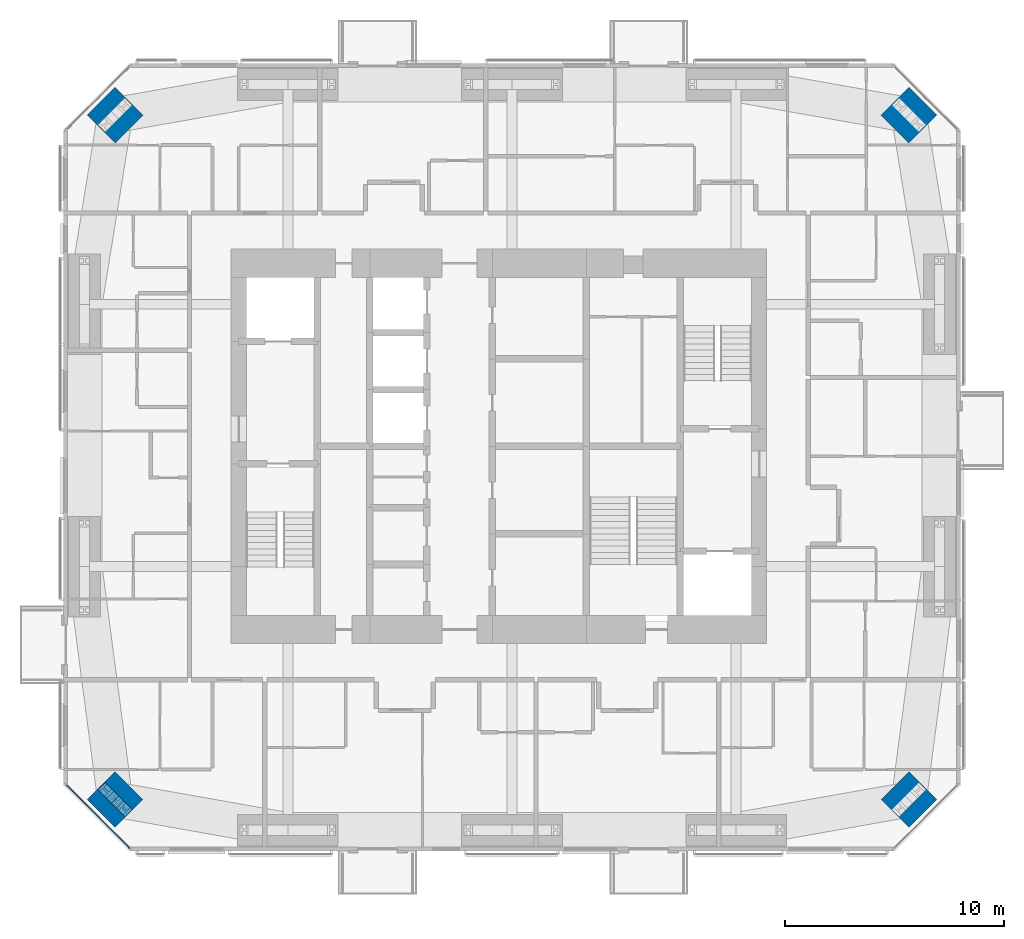
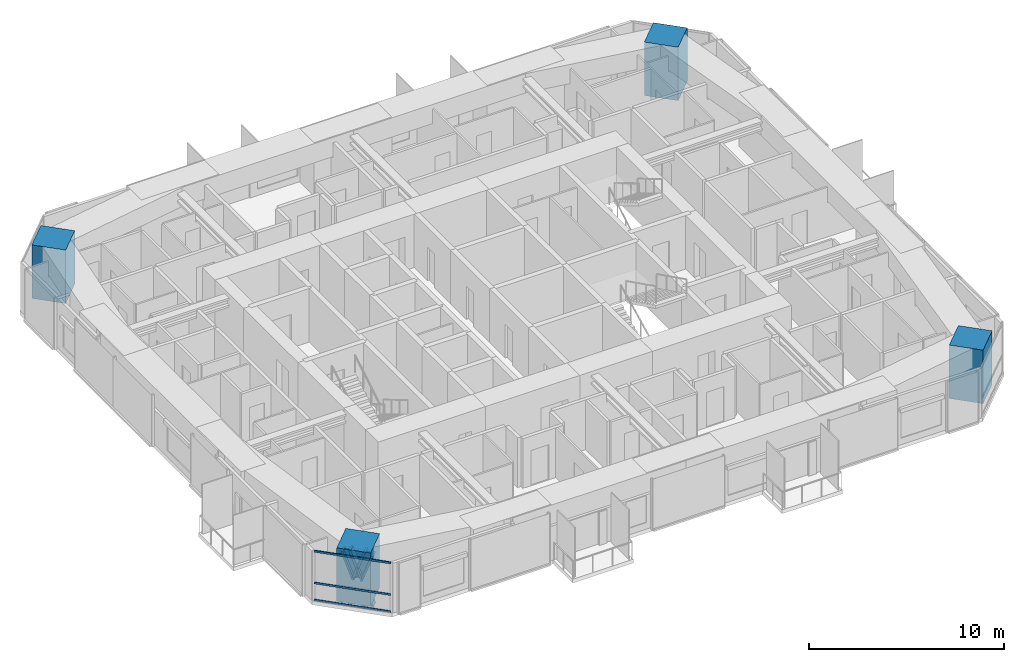
# One storey, part 1 of 23: 7 members, 4 columns, 1 element without a shape of its own.
"""IFC4 building model written with IfcOpenShell, lengths in metres."""

from ifc_helpers import new_model, si_unit, direction, frame, origin, origin_2d, place, context, subcontext, project, spatial, rectangle, i_section, extrude, material, material_profile, profile_set, type_object, element, aggregate, save


model = new_model("IFC4")

# Units and contexts
model_context = context("Model", 3, precision=1e-05, world=origin(), true_north=direction((0.0, 1.0)))
body_context = subcontext(model_context, "Body", "Model", "MODEL_VIEW")
ifc_project = project(units=[si_unit("LENGTHUNIT", "METRE"), si_unit("AREAUNIT", "SQUARE_METRE"), si_unit("VOLUMEUNIT", "CUBIC_METRE"), si_unit("PLANEANGLEUNIT", "RADIAN"), si_unit("MASSUNIT", "GRAM", prefix="KILO")], contexts=[model_context])

# Site, building, storey
site_placement = place(None, origin())
site = spatial("IfcSite", under=ifc_project, at=site_placement, CompositionType="ELEMENT")
building_placement = place(site_placement, origin())
building = spatial("IfcBuilding", under=site, at=building_placement, Name="Jalousie Tower", CompositionType="ELEMENT")
storey_placement = place(building_placement, frame((0.0, 0.0, 167.75)))
storey = spatial("IfcBuildingStorey", under=building, at=storey_placement, Name="L45", CompositionType="ELEMENT", Elevation=167.75)

# Columns
ifc_material_1 = material(Name="Concrete f'c 120 MPa", Category="concrete")
ifc_material_profile_1 = material_profile(ifc_material_1, rectangle(XDim=1.800048828125, YDim=1.800048828125, at=origin_2d()), Name="RC 1800x1800")
ifc_profile_set_1 = profile_set([ifc_material_profile_1], Name="Concrete f'c 120 MPa")
column_type = type_object("IfcColumnType", Name="RC COLUMN 1800x1800", PredefinedType="COLUMN", material=ifc_profile_set_1)
for number, where, z_axis, x_axis, name in (
    (1, (14.348388671875, 2.348388671875, 0.0), (0.0, 0.0, 1.0), (0.707106781187, 0.707106781187, 0.0), "Column 01 L45"),
    (2, (50.651611328125, 2.348388671875, 0.0), (0.0, 0.0, 1.0), (0.707106781187, 0.707106781187, 0.0), "Column 05 L45"),
    (3, (50.651611328125, 33.651611328125, 0.0), (0.0, 0.0, 1.0), (0.707106781187, 0.707106781187, 0.0), "Column 08 L45"),
    (4, (14.348388671875, 33.651611328125, 0.0), (0.0, 0.0, 1.0), (0.707106781187, 0.707106781187, 0.0), "Column 12 L45"),
):
    element("IfcColumn", number, at=place(storey_placement, frame(where, z_axis=z_axis, x_axis=x_axis)), inside=storey, type_object=column_type, Name=name, PredefinedType="COLUMN", context=body_context, shape_type="SweptSolid", body=[
        extrude(rectangle(XDim=1.800048828125, YDim=1.800048828125, at=origin_2d()), origin(), (0.0, 0.0, 1.0), 3.35009765625),
    ])

# Curtain wall, members
ifc_material_2 = material(Name="Aluminium curtain wall", Category="aluminium")
curtain_wall_type = type_object("IfcCurtainWallType", Name="CORNER WINDOW WALL", PredefinedType="USERDEFINED", material=ifc_material_2)
curtain_wall_placement = place(storey_placement, origin())
curtain_wall = element("IfcCurtainWall", 5, at=curtain_wall_placement, inside=storey, type_object=curtain_wall_type, Name="Corner Window Wall L45 8", ObjectType="CORNER WINDOW WALL", PredefinedType="USERDEFINED")
ifc_material_3 = material(Name="Aluminium transom", Category="aluminium")
ifc_material_profile_2 = material_profile(ifc_material_3, rectangle(XDim=0.06005859375, YDim=0.1201171875, at=origin_2d()), Name="TRANSOM 60x120")
ifc_profile_set_2 = profile_set([ifc_material_profile_2], Name="Aluminium transom")
member_type_1 = type_object("IfcMemberType", Name="CORNER WINDOW WALL TRANSOM", PredefinedType="USERDEFINED", material=ifc_profile_set_2)
member_1_placement = place(storey_placement, frame((12.1298828125, 3.0087890625, 0.030029296875), z_axis=(0.707106781187, -0.707106781187, 0.0), x_axis=(0.707106781187, 0.707106781187, 0.0)))
member_1 = element("IfcMember", 6, at=member_1_placement, type_object=member_type_1, Name="CW-C transom 1.1", ObjectType="TRANSOM", PredefinedType="USERDEFINED", context=body_context, shape_type="SweptSolid", body=[
    extrude(rectangle(XDim=0.06005859375, YDim=0.1201171875, at=origin_2d()), origin(), (0.0, 0.0, 1.0), 4.0712890625),
])
member_2_placement = place(storey_placement, frame((12.1298828125, 3.0087890625, 1.10009765625), z_axis=(0.707106781187, -0.707106781187, 0.0), x_axis=(0.707106781187, 0.707106781187, 0.0)))
member_2 = element("IfcMember", 7, at=member_2_placement, type_object=member_type_1, Name="CW-C transom 1.2", ObjectType="TRANSOM", PredefinedType="USERDEFINED", context=body_context, shape_type="SweptSolid", body=[
    extrude(rectangle(XDim=0.06005859375, YDim=0.1201171875, at=origin_2d()), origin(), (0.0, 0.0, 1.0), 4.0712890625),
])
member_3_placement = place(storey_placement, frame((12.1298828125, 3.0087890625, 3.080078125), z_axis=(0.707106781187, -0.707106781187, 0.0), x_axis=(0.707106781187, 0.707106781187, 0.0)))
member_3 = element("IfcMember", 8, at=member_3_placement, type_object=member_type_1, Name="CW-C transom 1.3", ObjectType="TRANSOM", PredefinedType="USERDEFINED", context=body_context, shape_type="SweptSolid", body=[
    extrude(rectangle(XDim=0.06005859375, YDim=0.1201171875, at=origin_2d()), origin(), (0.0, 0.0, 1.0), 4.0712890625),
])
aggregate(curtain_wall, [member_1, member_2, member_3])

# Members
ifc_material_4 = material(Name="Steel ASTM A992 Grade 50", Category="steel")
ifc_material_profile_3 = material_profile(ifc_material_4, i_section(OverallWidth=0.472412109375, OverallDepth=0.5791015625, WebThickness=0.094970703125, FlangeThickness=0.1298828125, at=origin_2d()), Name="W14X808")
ifc_profile_set_3 = profile_set([ifc_material_profile_3], Name="Steel ASTM A992 Grade 50")
member_type_2 = type_object("IfcMemberType", Name="PERIMETER BRACE W14X808", PredefinedType="BRACE", material=ifc_profile_set_3)
for number, where, z_axis, x_axis, name in (
    (9, (13.92431640625, 2.772705078125, -0.60009765625), (0.238345540878, -0.238482757655, 0.941444303953), (0.707310235866, 0.706903267951, 0.0), "Perimeter brace 01 L45 part 1"),
    (10, (14.348388671875, 2.348388671875, 1.074951171875), (0.238482757655, -0.238345540878, 0.941444303953), (0.706903267951, 0.707310235866, 0.0), "Perimeter brace 01 L45 part 2"),
    (11, (14.772705078125, 1.92431640625, -0.60009765625), (-0.238482757655, 0.238345540878, 0.941444303953), (-0.706903267951, -0.707310235866, 0.0), "Perimeter brace 01 L45 part 3"),
    (12, (14.348388671875, 2.348388671875, 1.074951171875), (-0.238345540878, 0.238482757655, 0.941444303953), (-0.707310235866, -0.706903267951, 0.0), "Perimeter brace 01 L45 part 4"),
):
    element("IfcMember", number, at=place(storey_placement, frame(where, z_axis=z_axis, x_axis=x_axis)), inside=storey, type_object=member_type_2, Name=name, PredefinedType="BRACE", context=body_context, shape_type="SweptSolid", body=[
        extrude(i_section(OverallWidth=0.472412109375, OverallDepth=0.5791015625, WebThickness=0.094970703125, FlangeThickness=0.1298828125, at=origin_2d()), origin(), (0.0, 0.0, 1.0), 1.779296875),
    ])

save(model, "model.ifc")
